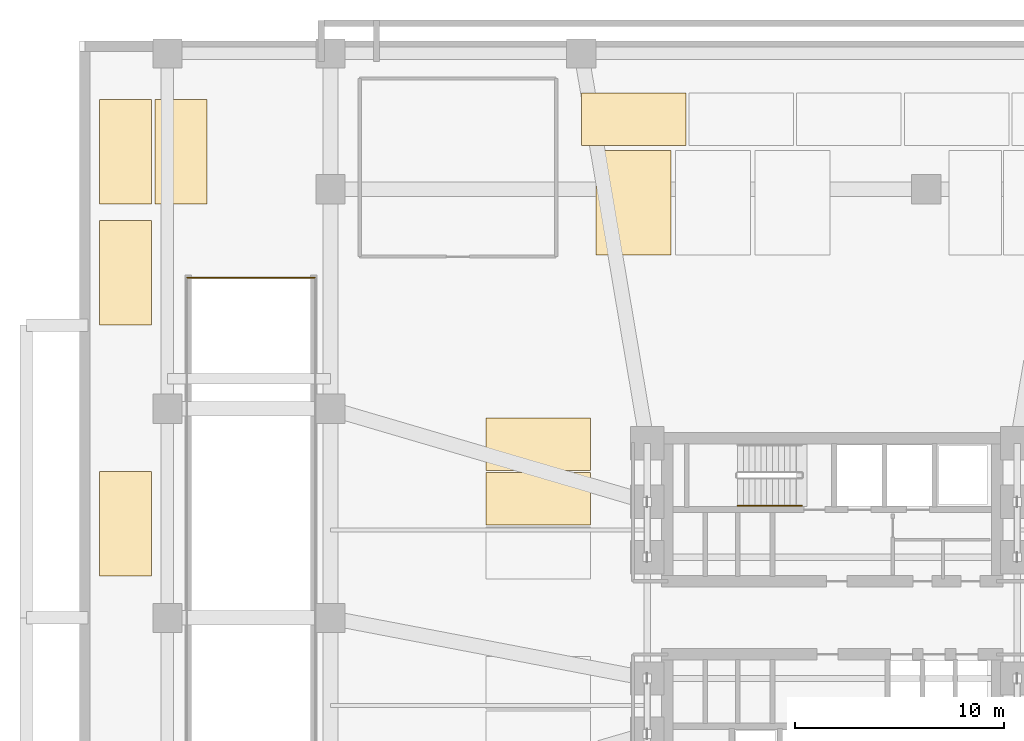
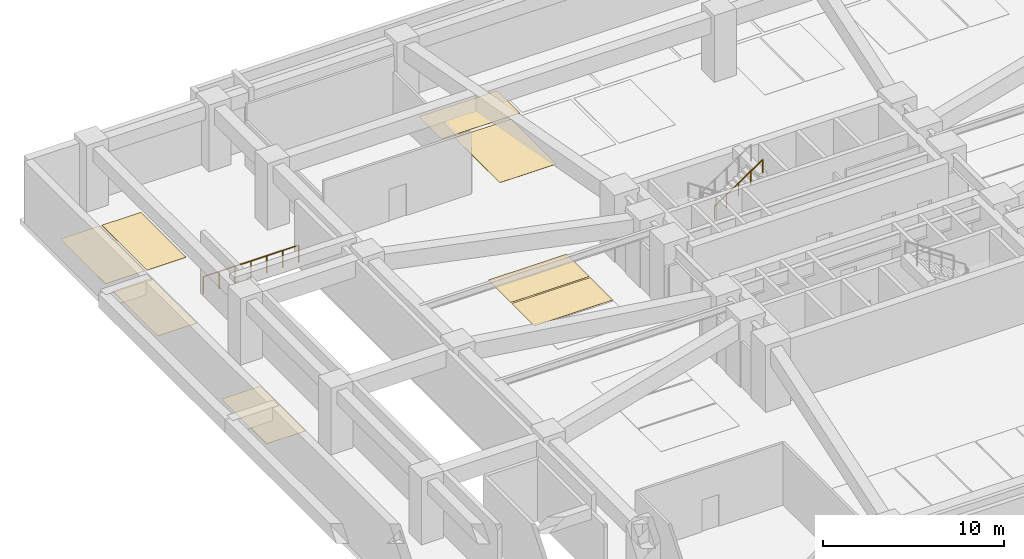
# One storey, part 11 of 13: 8 coverings, 2 railings.
"""IFC4 building model written with IfcOpenShell, lengths in metres."""

from ifc_helpers import new_model, si_unit, direction, frame, origin, origin_2d, place, context, subcontext, project, spatial, polyline, circle, outline, extrude, material, layer, layer_set, type_object, element, save


model = new_model("IFC4")

# Units and contexts
model_context = context("Model", 3, precision=1e-05, world=origin(), true_north=direction((0.0, 1.0)))
body_context = subcontext(model_context, "Body", "Model", "MODEL_VIEW")
ifc_project = project(units=[si_unit("LENGTHUNIT", "METRE"), si_unit("AREAUNIT", "SQUARE_METRE"), si_unit("VOLUMEUNIT", "CUBIC_METRE"), si_unit("PLANEANGLEUNIT", "RADIAN"), si_unit("MASSUNIT", "GRAM", prefix="KILO")], contexts=[model_context])

# Site, building, storey
site_placement = place(None, origin())
site = spatial("IfcSite", under=ifc_project, at=site_placement, CompositionType="ELEMENT")
building_placement = place(site_placement, origin())
building = spatial("IfcBuilding", under=site, at=building_placement, Name="Solmarez Civic Tower", CompositionType="ELEMENT")
storey_placement = place(building_placement, frame((0.0, 0.0, -4.5)))
storey = spatial("IfcBuildingStorey", under=building, at=storey_placement, Name="B1", CompositionType="ELEMENT", Elevation=-4.5)

# Coverings
ifc_material_1 = material(Name="Epoxy Traffic Deck Coating")
ifc_layer = layer(ifc_material_1, 0.010009765625)
ifc_layer_set = layer_set([ifc_layer], Name="Epoxy Traffic Deck Coating")
covering_type = type_object("IfcCoveringType", Name="COV-PARK-BAY", PredefinedType="FLOORING", material=ifc_layer_set)
covering_1_placement = place(storey_placement, origin())
element("IfcCovering", 1, at=covering_1_placement, inside=storey, type_object=covering_type, Name="B1 Accessible Parking Bay Marking A04", PredefinedType="FLOORING", context=body_context, shape_type="SweptSolid", body=[
    extrude(outline(polyline([(-11.300048828125, 17.35009765625), (-7.699951171875, 17.35009765625), (-7.699951171875, 22.35009765625), (-11.300048828125, 22.35009765625), (-11.300048828125, 17.35009765625)])), origin(), (0.0, 0.0, 1.0), 0.010009765625),
])
covering_2_placement = place(storey_placement, origin())
element("IfcCovering", 2, at=covering_2_placement, inside=storey, type_object=covering_type, Name="B1 Parking Bay Marking 063", PredefinedType="FLOORING", context=body_context, shape_type="SweptSolid", body=[
    extrude(outline(polyline([(-12.0, 22.60009765625), (-7.0, 22.60009765625), (-7.0, 25.10009765625), (-12.0, 25.10009765625), (-12.0, 22.60009765625)])), origin(), (0.0, 0.0, 1.0), 0.010009765625),
])
covering_3_placement = place(storey_placement, origin())
element("IfcCovering", 3, at=covering_3_placement, inside=storey, type_object=covering_type, Name="B1 Parking Bay Marking 076", PredefinedType="FLOORING", context=body_context, shape_type="SweptSolid", body=[
    extrude(outline(polyline([(-35.050048828125, 2.0), (-32.550048828125, 2.0), (-32.550048828125, 7.0), (-35.050048828125, 7.0), (-35.050048828125, 2.0)])), origin(), (0.0, 0.0, 1.0), 0.010009765625),
])
covering_4_placement = place(storey_placement, origin())
element("IfcCovering", 4, at=covering_4_placement, inside=storey, type_object=covering_type, Name="B1 Parking Bay Marking 077", PredefinedType="FLOORING", context=body_context, shape_type="SweptSolid", body=[
    extrude(outline(polyline([(-35.050048828125, 14.0), (-32.550048828125, 14.0), (-32.550048828125, 19.0), (-35.050048828125, 19.0), (-35.050048828125, 14.0)])), origin(), (0.0, 0.0, 1.0), 0.010009765625),
])
covering_5_placement = place(storey_placement, origin())
element("IfcCovering", 5, at=covering_5_placement, inside=storey, type_object=covering_type, Name="B1 Parking Bay Marking 078", PredefinedType="FLOORING", context=body_context, shape_type="SweptSolid", body=[
    extrude(outline(polyline([(-35.050048828125, 19.800048828125), (-32.550048828125, 19.800048828125), (-32.550048828125, 24.800048828125), (-35.050048828125, 24.800048828125), (-35.050048828125, 19.800048828125)])), origin(), (0.0, 0.0, 1.0), 0.010009765625),
])
covering_6_placement = place(storey_placement, origin())
element("IfcCovering", 6, at=covering_6_placement, inside=storey, type_object=covering_type, Name="B1 Parking Bay Marking 080", PredefinedType="FLOORING", context=body_context, shape_type="SweptSolid", body=[
    extrude(outline(polyline([(-32.39990234375, 19.800048828125), (-29.89990234375, 19.800048828125), (-29.89990234375, 24.800048828125), (-32.39990234375, 24.800048828125), (-32.39990234375, 19.800048828125)])), origin(), (0.0, 0.0, 1.0), 0.010009765625),
])
covering_7_placement = place(storey_placement, origin())
element("IfcCovering", 7, at=covering_7_placement, inside=storey, type_object=covering_type, Name="B1 Parking Bay Marking 090", PredefinedType="FLOORING", context=body_context, shape_type="SweptSolid", body=[
    extrude(outline(polyline([(-16.550048828125, 4.449951171875), (-11.550048828125, 4.449951171875), (-11.550048828125, 6.949951171875), (-16.550048828125, 6.949951171875), (-16.550048828125, 4.449951171875)])), origin(), (0.0, 0.0, 1.0), 0.010009765625),
])
covering_8_placement = place(storey_placement, origin())
element("IfcCovering", 8, at=covering_8_placement, inside=storey, type_object=covering_type, Name="B1 Parking Bay Marking 091", PredefinedType="FLOORING", context=body_context, shape_type="SweptSolid", body=[
    extrude(outline(polyline([(-16.550048828125, 7.050048828125), (-11.550048828125, 7.050048828125), (-11.550048828125, 9.550048828125), (-16.550048828125, 9.550048828125), (-16.550048828125, 7.050048828125)])), origin(), (0.0, 0.0, 1.0), 0.010009765625),
])

# Railings
ifc_material_2 = material(Name="Bronze Anodised Aluminium and Laminated Safety Glass Balustrade", Category="aluminium")
railing_type_1 = type_object("IfcRailingType", Name="GUARD-TERR-1180", PredefinedType="BALUSTRADE", material=ifc_material_2)
railing_1_placement = place(storey_placement, frame((-30.844970703125, 16.280029296875, 0.0)))
element("IfcRailing", 9, at=railing_1_placement, inside=storey, type_object=railing_type_1, Name="B1 Safety Balustrade GRD-RAMP-B1-VOID-2", PredefinedType="BALUSTRADE", context=body_context, shape_type="SweptSolid", body=[
    extrude(circle(Radius=0.02392578125, at=origin_2d()), frame((0.0, 0.0, 1.15576171875), z_axis=(1.0, 0.0, 0.0), x_axis=(0.0, 1.0, 0.0)), (0.0, 0.0, 1.0), 6.090087890625),
    extrude(circle(Radius=0.02099609375, at=origin_2d()), origin(), (0.0, 0.0, 1.0), 1.1318359375),
    extrude(circle(Radius=0.02099609375, at=origin_2d()), frame((1.01513671875, 0.0, 0.0)), (0.0, 0.0, 1.0), 1.1318359375),
    extrude(circle(Radius=0.02099609375, at=origin_2d()), frame((2.030029296875, 0.0, 0.0)), (0.0, 0.0, 1.0), 1.1318359375),
    extrude(circle(Radius=0.02099609375, at=origin_2d()), frame((3.044921875, 0.0, 0.0)), (0.0, 0.0, 1.0), 1.1318359375),
    extrude(circle(Radius=0.02099609375, at=origin_2d()), frame((4.06005859375, 0.0, 0.0)), (0.0, 0.0, 1.0), 1.1318359375),
    extrude(circle(Radius=0.02099609375, at=origin_2d()), frame((5.0751953125, 0.0, 0.0)), (0.0, 0.0, 1.0), 1.1318359375),
    extrude(circle(Radius=0.02099609375, at=origin_2d()), frame((6.090087890625, 0.0, 0.0)), (0.0, 0.0, 1.0), 1.1318359375),
])
ifc_material_3 = material(Name="Brushed Stainless Steel Tube Handrail", Category="steel")
railing_type_2 = type_object("IfcRailingType", Name="HANDRAIL-STAIR-900", PredefinedType="HANDRAIL", material=ifc_material_3)
railing_2_placement = place(storey_placement, frame((-4.530029296875, 5.3701171875, 2.4375)))
element("IfcRailing", 10, at=railing_2_placement, inside=storey, type_object=railing_type_2, Name="B1 ST-1 stair handrail 2", PredefinedType="HANDRAIL", context=body_context, shape_type="SweptSolid", body=[
    extrude(circle(Radius=0.02392578125, at=origin_2d()), frame((0.0, 0.0, 0.8759765625), z_axis=(0.830913701846, 0.0, 0.55640131208), x_axis=(0.0, 1.0, 0.0)), (0.0, 0.0, 1.0), 3.706787109375),
    extrude(circle(Radius=0.02099609375, at=origin_2d()), origin(), (0.0, 0.0, 1.0), 0.851806640625),
    extrude(circle(Radius=0.02099609375, at=origin_2d()), frame((0.77001953125, 0.0, 0.515625)), (0.0, 0.0, 1.0), 0.851806640625),
    extrude(circle(Radius=0.02099609375, at=origin_2d()), frame((1.5400390625, 0.0, 1.03125)), (0.0, 0.0, 1.0), 0.851806640625),
    extrude(circle(Radius=0.02099609375, at=origin_2d()), frame((2.31005859375, 0.0, 1.546875)), (0.0, 0.0, 1.0), 0.851806640625),
    extrude(circle(Radius=0.02099609375, at=origin_2d()), frame((3.080078125, 0.0, 2.0625)), (0.0, 0.0, 1.0), 0.851806640625),
])

save(model, "model.ifc")
